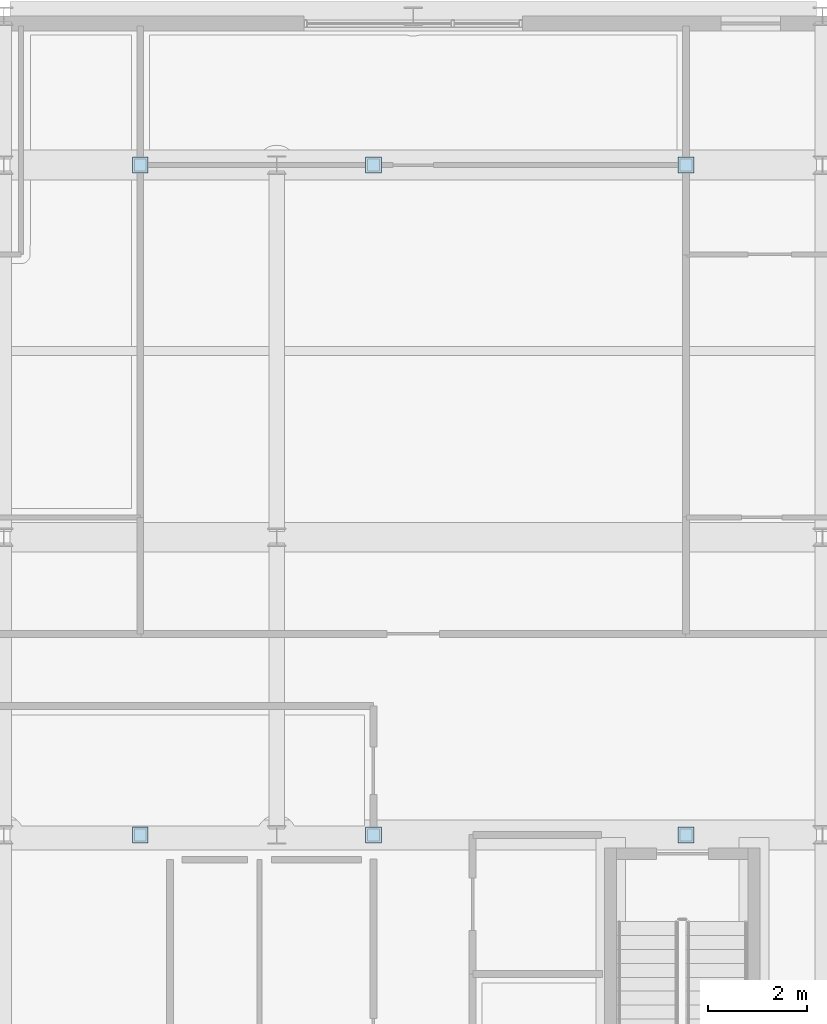
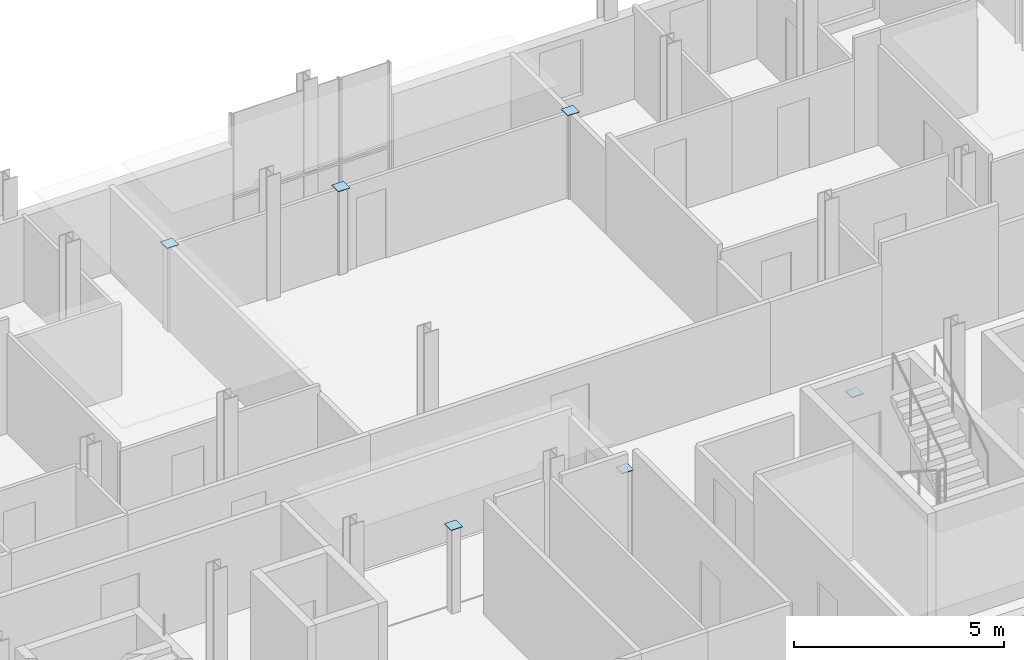
# One storey, part 24 of 35: 6 plates.
"""IFC4 building model written with IfcOpenShell, lengths in metres."""

from ifc_helpers import new_model, si_unit, direction, frame, origin, origin_2d, place, context, subcontext, project, spatial, rectangle, extrude, material, layer, layer_set, type_object, element, save


model = new_model("IFC4")

# Units and contexts
model_context = context("Model", 3, precision=1e-05, world=origin(), true_north=direction((0.0, 1.0)))
body_context = subcontext(model_context, "Body", "Model", "MODEL_VIEW")
ifc_project = project(units=[si_unit("LENGTHUNIT", "METRE"), si_unit("AREAUNIT", "SQUARE_METRE"), si_unit("VOLUMEUNIT", "CUBIC_METRE"), si_unit("PLANEANGLEUNIT", "RADIAN"), si_unit("MASSUNIT", "GRAM", prefix="KILO")], contexts=[model_context])

# Site, building, storey
site_placement = place(None, origin())
site = spatial("IfcSite", under=ifc_project, at=site_placement, CompositionType="ELEMENT")
building_placement = place(site_placement, origin())
building = spatial("IfcBuilding", under=site, at=building_placement, Name="Brevholm Reach", CompositionType="ELEMENT")
storey_placement = place(building_placement, frame((0.0, 0.0, 214.39990234375)))
storey = spatial("IfcBuildingStorey", under=building, at=storey_placement, Name="L65", CompositionType="ELEMENT", Elevation=214.39990234375)

# Plates
ifc_material = material(Name="Structural Steel S460NH", Category="steel")
ifc_layer = layer(ifc_material, 0.013916015625)
ifc_layer_set = layer_set([ifc_layer], Name="Structural Steel S460NH")
plate_type = type_object("IfcPlateType", Name="PLT-CAP-14", PredefinedType="USERDEFINED", material=ifc_layer_set)
for number, where, z_axis, x_axis, name in (
    (1, (24.5, 10.0, 2.45703125), (0.0, 0.0, 1.0), (1.0, 0.0, 0.0), "L65 Portal Vierendeel Post Cap Plate 1-10"),
    (2, (24.5, 23.5, 2.45703125), (0.0, 0.0, 1.0), (1.0, 0.0, 0.0), "L65 Portal Vierendeel Post Cap Plate 1-23"),
    (3, (29.199951171875, 10.0, 2.45703125), (0.0, 0.0, 1.0), (1.0, 0.0, 0.0), "L65 Portal Vierendeel Post Cap Plate 2-10"),
    (4, (29.199951171875, 23.5, 2.45703125), (0.0, 0.0, 1.0), (1.0, 0.0, 0.0), "L65 Portal Vierendeel Post Cap Plate 2-23"),
    (5, (35.5, 10.0, 2.45703125), (0.0, 0.0, 1.0), (1.0, 0.0, 0.0), "L65 Portal Vierendeel Post Cap Plate 3-10"),
    (6, (35.5, 23.5, 2.45703125), (0.0, 0.0, 1.0), (1.0, 0.0, 0.0), "L65 Portal Vierendeel Post Cap Plate 3-23"),
):
    element("IfcPlate", number, at=place(storey_placement, frame(where, z_axis=z_axis, x_axis=x_axis)), inside=storey, type_object=plate_type, Name=name, ObjectType="STIFFENER_PLATE", PredefinedType="USERDEFINED", context=body_context, shape_type="SweptSolid", body=[
        extrude(rectangle(XDim=0.320068359375, YDim=0.320068359375, at=origin_2d()), origin(), (0.0, 0.0, 1.0), 0.013916015625),
    ])

save(model, "model.ifc")
